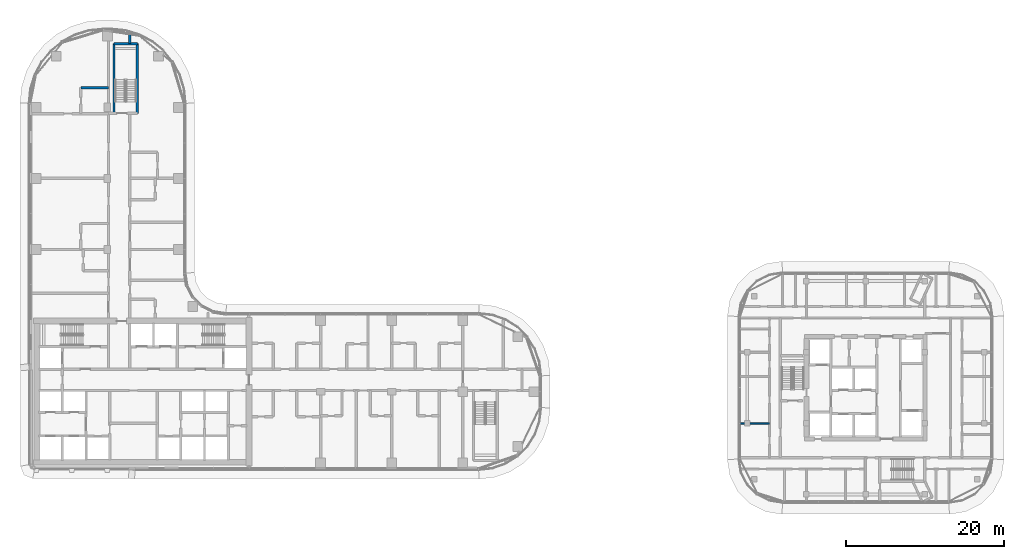
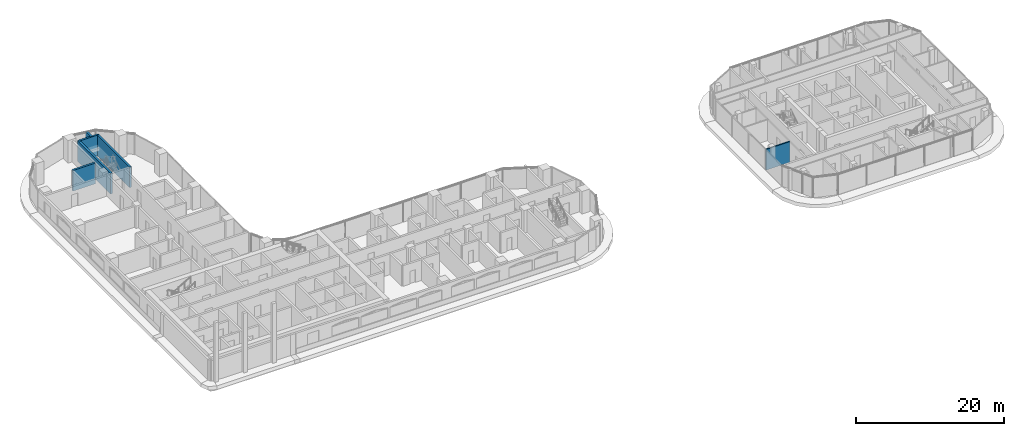
# One storey, part 25 of 40: 6 walls.
"""IFC4 building model written with IfcOpenShell, lengths in metres."""

from ifc_helpers import new_model, si_unit, direction, frame, frame_2d, origin, place, context, subcontext, project, spatial, rectangle, extrude, material, layer, layer_set, type_object, element, save


model = new_model("IFC4")

# Units and contexts
model_context = context("Model", 3, precision=1e-05, world=origin(), true_north=direction((0.0, 1.0)))
body_context = subcontext(model_context, "Body", "Model", "MODEL_VIEW")
ifc_project = project(units=[si_unit("LENGTHUNIT", "METRE"), si_unit("AREAUNIT", "SQUARE_METRE"), si_unit("VOLUMEUNIT", "CUBIC_METRE"), si_unit("PLANEANGLEUNIT", "RADIAN"), si_unit("MASSUNIT", "GRAM", prefix="KILO")], contexts=[model_context])

# Site, building, storey
site_placement = place(None, origin())
site = spatial("IfcSite", under=ifc_project, at=site_placement, CompositionType="ELEMENT")
building_placement = place(site_placement, origin())
building = spatial("IfcBuilding", under=site, at=building_placement, Name="Ogive Portal Towers", CompositionType="ELEMENT")
storey_placement = place(building_placement, frame((0.0, 0.0, 87.10009765625)))
storey = spatial("IfcBuildingStorey", under=building, at=storey_placement, Name="L20", CompositionType="ELEMENT", Elevation=87.10009765625)

# Walls
ifc_material_1 = material(Name="Concrete C50/60", Category="concrete")
ifc_layer_1 = layer(ifc_material_1, 0.300048828125)
ifc_layer_set_1 = layer_set([ifc_layer_1], Name="STAIR WALL 300 C50")
wall_type_1 = type_object("IfcWallType", Name="STAIR WALL 300 C50", PredefinedType="SHEAR", material=ifc_layer_set_1)
wall_1_placement = place(storey_placement, frame((41.35009765625, 74.550048828125, 0.0), z_axis=(0.0, 0.0, 1.0), x_axis=(1.0, 0.0, 0.0)))
element("IfcWall", 1, at=wall_1_placement, inside=storey, type_object=wall_type_1, Name="Stair wall ST-A3 L20", PredefinedType="SHEAR", context=body_context, shape_type="SweptSolid", body=[
    extrude(rectangle(XDim=3.0, YDim=0.300048828125, at=frame_2d((1.5, 0.0))), origin(), (0.0, 0.0, 1.0), 3.39990234375),
])
for number, where, z_axis, x_axis, name in (
    (2, (41.35009765625, 65.75, 0.0), (0.0, 0.0, 1.0), (0.0, 1.0, 0.0), "Stair wall ST-A3 L20"),
    (3, (44.300048828125, 65.75, 0.0), (0.0, 0.0, 1.0), (0.0, 1.0, 0.0), "Stair wall ST-A3 L20"),
):
    element("IfcWall", number, at=place(storey_placement, frame(where, z_axis=z_axis, x_axis=x_axis)), inside=storey, type_object=wall_type_1, Name=name, PredefinedType="SHEAR", context=body_context, shape_type="SweptSolid", body=[
        extrude(rectangle(XDim=8.85009765625, YDim=0.300048828125, at=frame_2d((4.425048828125, 0.0))), origin(), (0.0, 0.0, 1.0), 3.39990234375),
    ])
ifc_material_2 = material(Name="Gypsum board partition on steel studs", Category="steel")
ifc_layer_2 = layer(ifc_material_2, 0.199951171875)
ifc_layer_set_2 = layer_set([ifc_layer_2], Name="WT-PART-200-EI 60")
wall_type_2 = type_object("IfcWallType", Name="WT-PART-200-EI 60", PredefinedType="PARTITIONING", material=ifc_layer_set_2)
wall_2_placement = place(storey_placement, frame((120.56005859375, 26.5, 0.0), z_axis=(0.0, 0.0, 1.0), x_axis=(1.0, 0.0, 0.0)))
element("IfcWall", 4, at=wall_2_placement, inside=storey, type_object=wall_type_2, Name="Wall L20:w019", PredefinedType="PARTITIONING", context=body_context, shape_type="SweptSolid", body=[
    extrude(rectangle(XDim=3.75, YDim=0.199951171875, at=frame_2d((1.875, 0.0))), origin(), (0.0, 0.0, 1.0), 3.39990234375),
])
ifc_layer_3 = layer(ifc_material_2, 0.300048828125)
ifc_layer_set_3 = layer_set([ifc_layer_3], Name="WT-PART-300-EI 60")
wall_type_3 = type_object("IfcWallType", Name="WT-PART-300-EI 60", PredefinedType="PARTITIONING", material=ifc_layer_set_3)
wall_3_placement = place(storey_placement, frame((37.14990234375, 69.0, 0.0), z_axis=(0.0, 0.0, 1.0), x_axis=(1.0, 0.0, 0.0)))
element("IfcWall", 5, at=wall_3_placement, inside=storey, type_object=wall_type_3, Name="Wall L20:w030", PredefinedType="PARTITIONING", context=body_context, shape_type="SweptSolid", body=[
    extrude(rectangle(XDim=3.5, YDim=0.300048828125, at=frame_2d((1.75, 0.0))), origin(), (0.0, 0.0, 1.0), 3.39990234375),
])
ifc_material_3 = material(Name="Concrete C40/50", Category="concrete")
ifc_layer_4 = layer(ifc_material_3, 0.300048828125)
ifc_layer_set_4 = layer_set([ifc_layer_4], Name="WT-SHAFT-300")
wall_type_4 = type_object("IfcWallType", Name="WT-SHAFT-300", PredefinedType="SOLIDWALL", material=ifc_layer_set_4)
wall_4_placement = place(storey_placement, frame((43.35009765625, 74.550048828125, 0.0), z_axis=(0.0, 0.0, 1.0), x_axis=(0.0, 1.0, 0.0)))
element("IfcWall", 6, at=wall_4_placement, inside=storey, type_object=wall_type_4, Name="Wall L20:w038", PredefinedType="SOLIDWALL", context=body_context, shape_type="SweptSolid", body=[
    extrude(rectangle(XDim=1.35205078125, YDim=0.300048828125, at=frame_2d((0.676025390625, 0.0))), origin(), (0.0, 0.0, 1.0), 3.39990234375),
])

save(model, "model.ifc")
